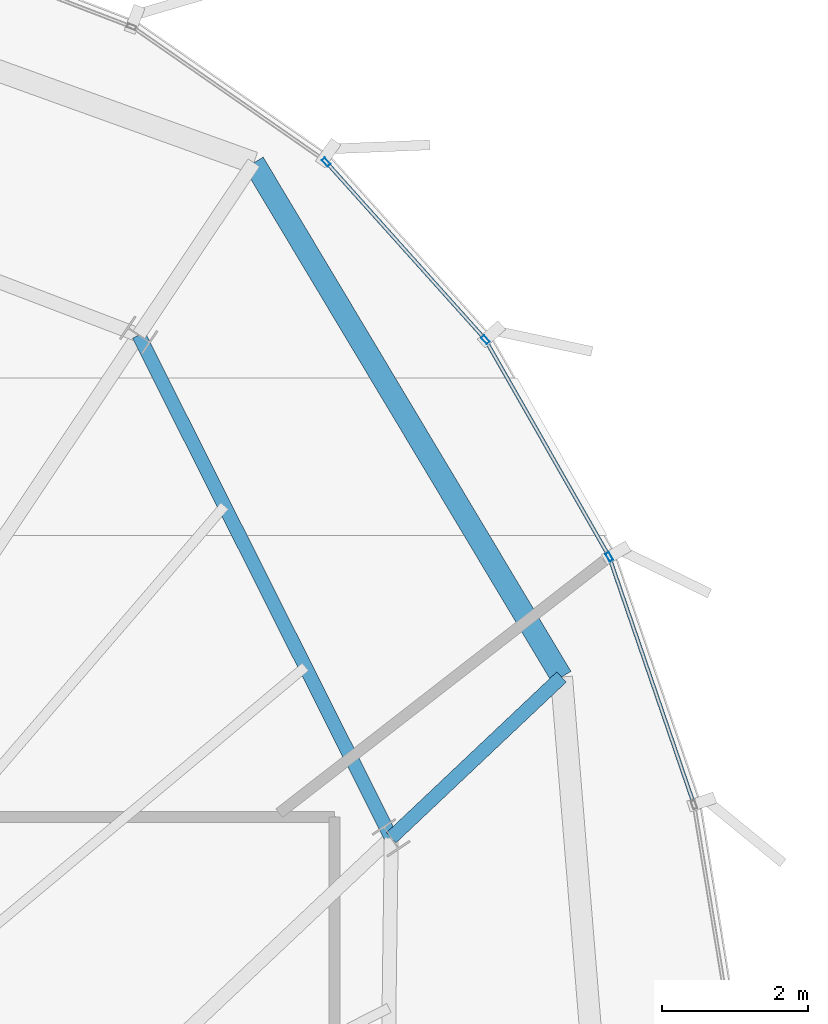
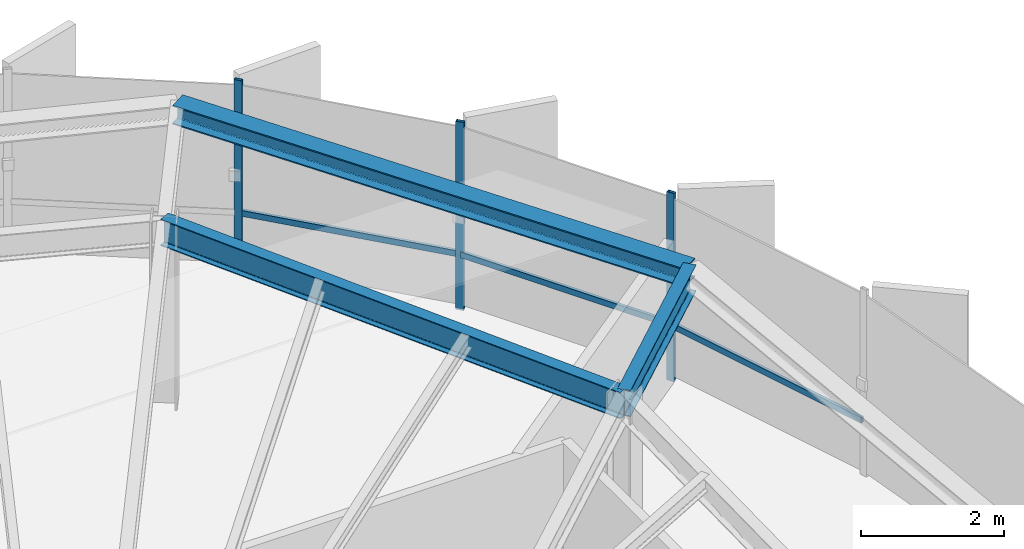
# One storey, part 23 of 31: 6 members, 3 beams, 1 element without a shape of its own.
"""IFC4 building model written with IfcOpenShell, lengths in metres."""

from ifc_helpers import new_model, si_unit, direction, frame, origin, origin_2d, place, context, subcontext, project, spatial, hollow_rectangle, i_section, extrude, source, transform, mapped, material, layer, layer_set, material_profile, profile_set, type_object, element, aggregate, save


model = new_model("IFC4")

# Units and contexts
model_context = context("Model", 3, precision=1e-05, world=origin(), true_north=direction((0.0, 1.0)))
body_context = subcontext(model_context, "Body", "Model", "MODEL_VIEW")
ifc_project = project(units=[si_unit("LENGTHUNIT", "METRE"), si_unit("AREAUNIT", "SQUARE_METRE"), si_unit("VOLUMEUNIT", "CUBIC_METRE"), si_unit("PLANEANGLEUNIT", "RADIAN"), si_unit("MASSUNIT", "GRAM", prefix="KILO"), si_unit("THERMODYNAMICTEMPERATUREUNIT", "KELVIN")], contexts=[model_context])

# Site, building, storey
site_placement = place(None, origin())
site = spatial("IfcSite", under=ifc_project, at=site_placement, CompositionType="ELEMENT")
building_placement = place(site_placement, origin())
building = spatial("IfcBuilding", under=site, at=building_placement, Name="Kethvar Cultural Tower", CompositionType="ELEMENT")
storey_placement = place(building_placement, frame((0.0, 0.0, 283.60009765625)))
storey = spatial("IfcBuildingStorey", under=building, at=storey_placement, Name="L75", CompositionType="ELEMENT", Elevation=283.60009765625)

# Beams
ifc_material_1 = material(Name="Steel S355J2", Category="steel")
ifc_material_profile_1 = material_profile(ifc_material_1, i_section(OverallWidth=0.18994140625, OverallDepth=0.449951171875, WebThickness=0.009521484375, FlangeThickness=0.0146484375, FilletRadius=0.02099609375, at=origin_2d()), Name="Steel S355J2 — IPE450")
ifc_profile_set_1 = profile_set([ifc_material_profile_1], Name="Steel S355J2 — IPE450")
beam_type_1 = type_object("IfcBeamType", Name="BM-IPE450", PredefinedType="BEAM", material=ifc_profile_set_1)
shared_shape_1 = source(origin(), body_context, "Body", "SweptSolid", [
    extrude(i_section(OverallWidth=0.18994140625, OverallDepth=0.449951171875, WebThickness=0.009521484375, FlangeThickness=0.0146484375, FilletRadius=0.02099609375, at=origin_2d()), origin(), (0.0, 0.0, 1.0), 3.199951171875),
])
beam_1_placement = place(storey_placement, frame((61.32568359375, 37.505859375, 2.98291015625), z_axis=(0.727146433404, 0.686482384616, 0.0), x_axis=(-0.686482384616, 0.727146433404, 0.0)))
element("IfcBeam", 1, at=beam_1_placement, inside=storey, type_object=beam_type_1, Name="L75 Perimeter Cantilever Beam RC-02", PredefinedType="BEAM", context=body_context, shape_type="MappedRepresentation", body=[
    mapped(shared_shape_1, transform((0.0, 0.0, 0.0), scale=1.0)),
])
shared_shape_2 = source(origin(), body_context, "Body", "SweptSolid", [
    extrude(i_section(OverallWidth=0.18994140625, OverallDepth=0.449951171875, WebThickness=0.009521484375, FlangeThickness=0.0146484375, FilletRadius=0.02099609375, at=origin_2d()), origin(), (0.0, 0.0, 1.0), 7.68701171875),
])
beam_2_placement = place(storey_placement, frame((61.32568359375, 37.505859375, 2.98291015625), z_axis=(-0.448864354142, 0.893599905763, 0.0), x_axis=(-0.893599905763, -0.448864354142, 0.0)))
element("IfcBeam", 2, at=beam_2_placement, inside=storey, type_object=beam_type_1, Name="L75 Column Ring Tie Beam CR-02", PredefinedType="BEAM", context=body_context, shape_type="MappedRepresentation", body=[
    mapped(shared_shape_2, transform((0.0, 0.0, 0.0), scale=1.0)),
])
ifc_material_profile_2 = material_profile(ifc_material_1, i_section(OverallWidth=0.300048828125, OverallDepth=0.320068359375, WebThickness=0.011474609375, FlangeThickness=0.0205078125, FilletRadius=0.027099609375, at=origin_2d()), Name="Steel S355J2 — HEB320")
ifc_profile_set_2 = profile_set([ifc_material_profile_2], Name="Steel S355J2 — HEB320")
beam_type_2 = type_object("IfcBeamType", Name="BM-SP320", PredefinedType="SPANDREL", material=ifc_profile_set_2)
shared_shape_3 = source(origin(), body_context, "Body", "SweptSolid", [
    extrude(i_section(OverallWidth=0.300048828125, OverallDepth=0.320068359375, WebThickness=0.011474609375, FlangeThickness=0.0205078125, FilletRadius=0.027099609375, at=origin_2d()), origin(), (0.0, 0.0, 1.0), 8.188232421875),
])
beam_3_placement = place(storey_placement, frame((63.652587890625, 39.70263671875, 3.0478515625), z_axis=(-0.513486925563, 0.858097417124, 0.0), x_axis=(-0.858097417124, -0.513486925563, 0.0)))
element("IfcBeam", 3, at=beam_3_placement, inside=storey, type_object=beam_type_2, Name="L75 Perimeter Spandrel Beam SP-02", PredefinedType="SPANDREL", context=body_context, shape_type="MappedRepresentation", body=[
    mapped(shared_shape_3, transform((0.0, 0.0, 0.0), scale=1.0)),
])

# Curtain wall, members
ifc_material_2 = material(Name="Aluminium 6063-T6", Category="aluminium")
ifc_layer = layer(ifc_material_2, 0.179931640625, Name="Aluminium 6063-T6", Category="aluminium")
ifc_layer_set = layer_set([ifc_layer], Name="Aluminium 6063-T6 (180 mm)")
curtain_wall_type = type_object("IfcCurtainWallType", Name="CW-SYS-05-Z56", PredefinedType="NOTDEFINED", material=ifc_layer_set)
curtain_wall_placement = place(storey_placement, origin())
curtain_wall = element("IfcCurtainWall", 4, at=curtain_wall_placement, inside=storey, type_object=curtain_wall_type, Name="L75 Curtain Wall Run 06", PredefinedType="NOTDEFINED")
ifc_material_profile_3 = material_profile(ifc_material_2, hollow_rectangle(XDim=0.054931640625, YDim=0.1201171875, WallThickness=0.00390625, at=origin_2d()), Name="Aluminium 6063-T6 — RHS120x55x4")
ifc_profile_set_3 = profile_set([ifc_material_profile_3], Name="Aluminium 6063-T6 — RHS120x55x4")
member_type_1 = type_object("IfcMemberType", Name="CW-SYS-05-Z56-MUL", PredefinedType="MULLION", material=ifc_profile_set_3)
shared_shape_4 = source(origin(), body_context, "Body", "SweptSolid", [
    extrude(hollow_rectangle(XDim=0.054931640625, YDim=0.1201171875, WallThickness=0.00390625, at=origin_2d()), origin(), (0.0, 0.0, 1.0), 3.2099609375),
])
member_1_placement = place(storey_placement, frame((64.30517578125, 41.3447265625, 0.0), z_axis=(0.0, 0.0, 1.0), x_axis=(-0.86845851382, -0.495761847839, 0.0)))
member_1 = element("IfcMember", 5, at=member_1_placement, type_object=member_type_1, Name="CW-L75-R06 Mullion 5", PredefinedType="MULLION", context=body_context, shape_type="MappedRepresentation", body=[
    mapped(shared_shape_4, transform((0.0, 0.0, 0.0), scale=1.0)),
])
member_2_placement = place(storey_placement, frame((62.61376953125, 44.312255859375, 0.0), z_axis=(0.0, 0.0, 1.0), x_axis=(-0.744451400429, -0.667676652579, 0.0)))
member_2 = element("IfcMember", 6, at=member_2_placement, type_object=member_type_1, Name="CW-L75-R06 Mullion 6", PredefinedType="MULLION", context=body_context, shape_type="MappedRepresentation", body=[
    mapped(shared_shape_4, transform((0.0, 0.0, 0.0), scale=1.0)),
])
member_3_placement = place(storey_placement, frame((60.436767578125, 46.739501953125, 0.0), z_axis=(0.0, 0.0, 1.0), x_axis=(-0.744451400429, -0.667676652579, 0.0)))
member_3 = element("IfcMember", 7, at=member_3_placement, type_object=member_type_1, Name="CW-L75-R06 Mullion 7", PredefinedType="MULLION", context=body_context, shape_type="MappedRepresentation", body=[
    mapped(shared_shape_4, transform((0.0, 0.0, 0.0), scale=1.0)),
])
ifc_material_profile_4 = material_profile(ifc_material_2, hollow_rectangle(XDim=0.050048828125, YDim=0.10009765625, WallThickness=0.00390625, at=origin_2d()), Name="Aluminium 6063-T6 — RHS100x50x4")
ifc_profile_set_4 = profile_set([ifc_material_profile_4], Name="Aluminium 6063-T6 — RHS100x50x4")
member_type_2 = type_object("IfcMemberType", Name="CW-SYS-05-Z56-TRN", PredefinedType="USERDEFINED", material=ifc_profile_set_4)
shared_shape_5 = source(origin(), body_context, "Body", "SweptSolid", [
    extrude(hollow_rectangle(XDim=0.050048828125, YDim=0.10009765625, WallThickness=0.00390625, at=origin_2d()), origin(), (0.0, 0.0, 1.0), 3.217041015625),
])
member_4_placement = place(storey_placement, frame((62.587158203125, 44.341796875, 0.949951171875), z_axis=(-0.667663967039, 0.744462777523, 0.0), x_axis=(-0.744462777523, -0.667663967039, 0.0)))
member_4 = element("IfcMember", 8, at=member_4_placement, type_object=member_type_2, Name="CW-L75-R06 Transom 6", ObjectType="TRANSOM", PredefinedType="USERDEFINED", context=body_context, shape_type="MappedRepresentation", body=[
    mapped(shared_shape_5, transform((0.0, 0.0, 0.0), scale=1.0)),
])
shared_shape_6 = source(origin(), body_context, "Body", "SweptSolid", [
    extrude(hollow_rectangle(XDim=0.050048828125, YDim=0.10009765625, WallThickness=0.00390625, at=origin_2d()), origin(), (0.0, 0.0, 1.0), 3.357421875),
])
member_5_placement = place(storey_placement, frame((64.285400390625, 41.379150390625, 0.949951171875), z_axis=(-0.495778671065, 0.868448910021, 0.0), x_axis=(-0.868448910021, -0.495778671065, 0.0)))
member_5 = element("IfcMember", 9, at=member_5_placement, type_object=member_type_2, Name="CW-L75-R06 Transom 5", ObjectType="TRANSOM", PredefinedType="USERDEFINED", context=body_context, shape_type="MappedRepresentation", body=[
    mapped(shared_shape_6, transform((0.0, 0.0, 0.0), scale=1.0)),
])
shared_shape_7 = source(origin(), body_context, "Body", "SweptSolid", [
    extrude(hollow_rectangle(XDim=0.050048828125, YDim=0.10009765625, WallThickness=0.00390625, at=origin_2d()), origin(), (0.0, 0.0, 1.0), 3.5185546875),
])
member_6_placement = place(storey_placement, frame((65.450927734375, 37.99609375, 0.949951171875), z_axis=(-0.324251589815, 0.945970880367, 0.0), x_axis=(-0.945970880367, -0.324251589815, 0.0)))
member_6 = element("IfcMember", 10, at=member_6_placement, type_object=member_type_2, Name="CW-L75-R06 Transom 4", ObjectType="TRANSOM", PredefinedType="USERDEFINED", context=body_context, shape_type="MappedRepresentation", body=[
    mapped(shared_shape_7, transform((0.0, 0.0, 0.0), scale=1.0)),
])
aggregate(curtain_wall, [member_1, member_2, member_3, member_6, member_5, member_4])

save(model, "model.ifc")
